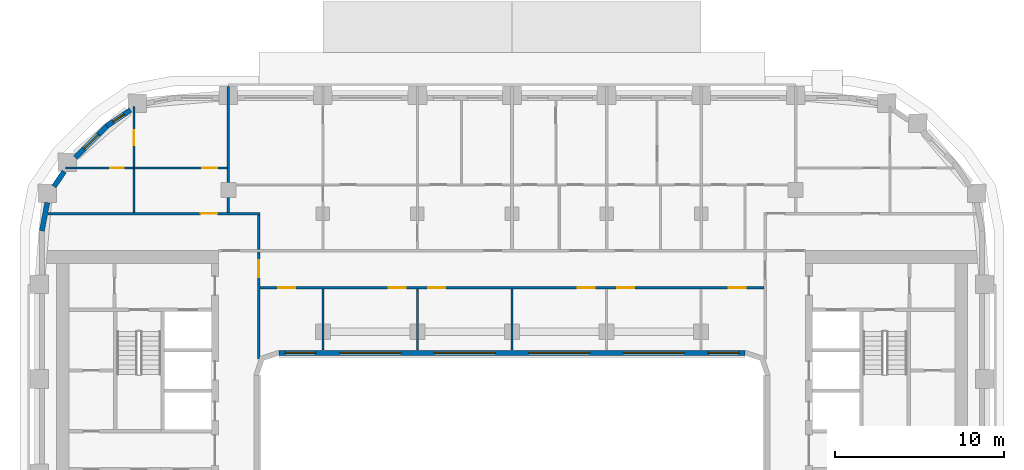
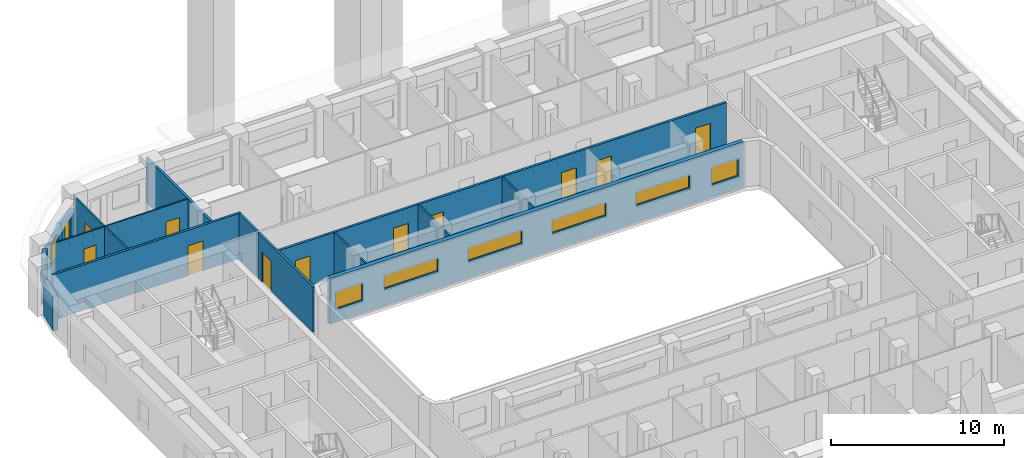
# One storey, part 7 of 18: 16 walls, 11 doors, 8 windows, 19 openings.
"""IFC4 building model written with IfcOpenShell, lengths in metres."""

from ifc_helpers import new_model, si_unit, direction, frame, frame_2d, origin, place, context, subcontext, project, spatial, rectangle, extrude, material, layer, layer_set, type_object, element, fill, save


model = new_model("IFC4")

# Units and contexts
model_context = context("Model", 3, precision=1e-05, world=origin(), true_north=direction((0.0, 1.0)))
body_context = subcontext(model_context, "Body", "Model", "MODEL_VIEW")
ifc_project = project(units=[si_unit("LENGTHUNIT", "METRE"), si_unit("AREAUNIT", "SQUARE_METRE"), si_unit("VOLUMEUNIT", "CUBIC_METRE"), si_unit("PLANEANGLEUNIT", "RADIAN"), si_unit("MASSUNIT", "GRAM", prefix="KILO")], contexts=[model_context])

# Site, building, storey
site_placement = place(None, origin())
site = spatial("IfcSite", under=ifc_project, at=site_placement, CompositionType="ELEMENT")
building_placement = place(site_placement, origin())
building = spatial("IfcBuilding", under=site, at=building_placement, Name="Kiln Ring Residences", CompositionType="ELEMENT")
storey_placement = place(building_placement, frame((0.0, 0.0, 157.10009765625)))
storey = spatial("IfcBuildingStorey", under=building, at=storey_placement, Name="L40", CompositionType="ELEMENT", Elevation=157.10009765625)

# Wall, opening, window
ifc_material_1 = material(Name="Brick masonry, dark clay brick", Category="masonry")
ifc_layer_1 = layer(ifc_material_1, 0.300048828125)
ifc_layer_set_1 = layer_set([ifc_layer_1], Name="EW-300 BRICK WALL")
wall_type_1 = type_object("IfcWallType", Name="EW-300 BRICK WALL", PredefinedType="SOLIDWALL", material=ifc_layer_set_1)
wall_1_placement = place(storey_placement, frame((-22.601806640625, 21.537841796875, 0.0), z_axis=(0.0, 0.0, 1.0), x_axis=(-0.827040942766, -0.562141689424, 0.0)))
wall_1 = element("IfcWall", 1, at=wall_1_placement, inside=storey, type_object=wall_type_1, Name="Facade wall L40 37", PredefinedType="SOLIDWALL", context=body_context, shape_type="SweptSolid", body=[
    extrude(rectangle(XDim=1.7060546875, YDim=0.300048828125, at=frame_2d((0.85302734375, 0.0))), origin(), (0.0, 0.0, 1.0), 2.449951171875),
])
opening_1_placement = place(wall_1_placement, frame((0.453125, 0.0, 0.60009765625)))
opening_1 = element("IfcOpeningElement", 2, at=opening_1_placement, cuts=wall_1, Name="Opening W5", PredefinedType="OPENING", context=body_context, shape_type="SweptSolid", body=[
    extrude(rectangle(XDim=0.800048828125, YDim=1.550048828125, at=frame_2d((0.39990234375, 0.77490234375))), frame((0.0, 0.159912109375, 0.0), z_axis=(0.0, -1.0, 0.0), x_axis=(1.0, 0.0, 0.0)), (0.0, 0.0, 1.0), 0.320068359375),
])
ifc_material_2 = material(Name="Aluminium frame with double glazing", Category="aluminium")
window_type_1 = type_object("IfcWindowType", Name="WINDOW 800 x 1550", PartitioningType="SINGLE_PANEL", PredefinedType="WINDOW", material=ifc_material_2)
window_1_placement = place(opening_1_placement, origin())
window_1 = element("IfcWindow", 3, at=window_1_placement, inside=storey, type_object=window_type_1, Name="Window L40 30", OverallHeight=1.550048828125, OverallWidth=0.800048828125, PartitioningType="SINGLE_PANEL", PredefinedType="WINDOW", context=body_context, shape_type="SweptSolid", body=[
    extrude(rectangle(XDim=0.800048828125, YDim=1.550048828125, at=frame_2d((0.39990234375, 0.77490234375))), frame((0.0, 0.030029296875, 0.0), z_axis=(0.0, -1.0, 0.0), x_axis=(1.0, 0.0, 0.0)), (0.0, 0.0, 1.0), 0.06005859375),
])
fill(opening_1, window_1)

wall_2_placement = place(storey_placement, frame((-23.990966796875, 20.596923828125, 0.0), z_axis=(0.0, 0.0, 1.0), x_axis=(-0.707106781187, -0.707106781187, 0.0)))
wall_2 = element("IfcWall", 4, at=wall_2_placement, inside=storey, type_object=wall_type_1, Name="Facade wall L40 38", PredefinedType="SOLIDWALL", context=body_context, shape_type="SweptSolid", body=[
    extrude(rectangle(XDim=2.64990234375, YDim=0.300048828125, at=frame_2d((1.324951171875, 0.0))), origin(), (0.0, 0.0, 1.0), 2.449951171875),
])
opening_2_placement = place(wall_2_placement, frame((0.72509765625, 0.0, 0.60009765625)))
opening_2 = element("IfcOpeningElement", 5, at=opening_2_placement, cuts=wall_2, Name="Opening W1", PredefinedType="OPENING", context=body_context, shape_type="SweptSolid", body=[
    extrude(rectangle(XDim=1.199951171875, YDim=1.550048828125, at=frame_2d((0.60009765625, 0.77490234375))), frame((0.0, 0.159912109375, 0.0), z_axis=(0.0, -1.0, 0.0), x_axis=(1.0, 0.0, 0.0)), (0.0, 0.0, 1.0), 0.320068359375),
])
ifc_material_3 = material(Name="Aluminium frame with double glazing", Category="aluminium")
window_type_2 = type_object("IfcWindowType", Name="WINDOW 1200 x 1550", PartitioningType="SINGLE_PANEL", PredefinedType="WINDOW", material=ifc_material_3)
window_2_placement = place(opening_2_placement, origin())
window_2 = element("IfcWindow", 6, at=window_2_placement, inside=storey, type_object=window_type_2, Name="Window L40 31", OverallHeight=1.550048828125, OverallWidth=1.199951171875, PartitioningType="SINGLE_PANEL", PredefinedType="WINDOW", context=body_context, shape_type="SweptSolid", body=[
    extrude(rectangle(XDim=1.199951171875, YDim=1.550048828125, at=frame_2d((0.60009765625, 0.77490234375))), frame((0.0, 0.030029296875, 0.0), z_axis=(0.0, -1.0, 0.0), x_axis=(1.0, 0.0, 0.0)), (0.0, 0.0, 1.0), 0.06005859375),
])
fill(opening_2, window_2)

# Walls
wall_3_placement = place(storey_placement, frame((-26.532470703125, 17.892578125, 0.0), z_axis=(0.0, 0.0, 1.0), x_axis=(-0.562105419172, -0.82706559458, 0.0)))
element("IfcWall", 7, at=wall_3_placement, inside=storey, type_object=wall_type_1, Name="Facade wall L40 39", PredefinedType="SOLIDWALL", context=body_context, shape_type="SweptSolid", body=[
    extrude(rectangle(XDim=1.0771484375, YDim=0.300048828125, at=frame_2d((0.53857421875, 0.0))), origin(), (0.0, 0.0, 1.0), 3.199951171875),
])
wall_4_placement = place(storey_placement, frame((-27.532958984375, 16.0478515625, 0.0), z_axis=(0.0, 0.0, 1.0), x_axis=(-0.187302784601, -0.982302227871, 0.0)))
element("IfcWall", 8, at=wall_4_placement, inside=storey, type_object=wall_type_1, Name="Facade wall L40 40", PredefinedType="SOLIDWALL", context=body_context, shape_type="SweptSolid", body=[
    extrude(rectangle(XDim=1.706298828125, YDim=0.300048828125, at=frame_2d((0.85302734375, 0.0))), origin(), (0.0, 0.0, 1.0), 2.449951171875),
])

# Wall, openings, windows
wall_5_placement = place(storey_placement, frame((-13.800048828125, 7.14990234375, 0.0), z_axis=(0.0, 0.0, 1.0), x_axis=(1.0, 0.0, 0.0)))
wall_5 = element("IfcWall", 9, at=wall_5_placement, inside=storey, type_object=wall_type_1, Name="Facade wall L40 50", PredefinedType="SOLIDWALL", context=body_context, shape_type="SweptSolid", body=[
    extrude(rectangle(XDim=27.60009765625, YDim=0.300048828125, at=frame_2d((13.800048828125, 0.0))), origin(), (0.0, 0.0, 1.0), 3.199951171875),
])
opening_3_placement = place(wall_5_placement, frame((0.362548828125, 0.0, 0.89990234375)))
opening_3 = element("IfcOpeningElement", 10, at=opening_3_placement, cuts=wall_5, Name="Opening W2", PredefinedType="OPENING", context=body_context, shape_type="SweptSolid", body=[
    extrude(rectangle(XDim=1.800048828125, YDim=1.25, at=frame_2d((0.89990234375, 0.625))), frame((0.0, 0.159912109375, 0.0), z_axis=(0.0, -1.0, 0.0), x_axis=(1.0, 0.0, 0.0)), (0.0, 0.0, 1.0), 0.320068359375),
])
opening_4_placement = place(wall_5_placement, frame((3.60009765625, 0.0, 1.199951171875)))
opening_4 = element("IfcOpeningElement", 11, at=opening_4_placement, cuts=wall_5, Name="Opening W4", PredefinedType="OPENING", context=body_context, shape_type="SweptSolid", body=[
    extrude(rectangle(XDim=3.60009765625, YDim=0.949951171875, at=frame_2d((1.800048828125, 0.47509765625))), frame((0.0, 0.159912109375, 0.0), z_axis=(0.0, -1.0, 0.0), x_axis=(1.0, 0.0, 0.0)), (0.0, 0.0, 1.0), 0.320068359375),
])
opening_5_placement = place(wall_5_placement, frame((9.199951171875, 0.0, 1.199951171875)))
opening_5 = element("IfcOpeningElement", 12, at=opening_5_placement, cuts=wall_5, Name="Opening W4", PredefinedType="OPENING", context=body_context, shape_type="SweptSolid", body=[
    extrude(rectangle(XDim=3.60009765625, YDim=0.949951171875, at=frame_2d((1.800048828125, 0.47509765625))), frame((0.0, 0.159912109375, 0.0), z_axis=(0.0, -1.0, 0.0), x_axis=(1.0, 0.0, 0.0)), (0.0, 0.0, 1.0), 0.320068359375),
])
opening_6_placement = place(wall_5_placement, frame((14.800048828125, 0.0, 1.199951171875)))
opening_6 = element("IfcOpeningElement", 13, at=opening_6_placement, cuts=wall_5, Name="Opening W4", PredefinedType="OPENING", context=body_context, shape_type="SweptSolid", body=[
    extrude(rectangle(XDim=3.60009765625, YDim=0.949951171875, at=frame_2d((1.800048828125, 0.47509765625))), frame((0.0, 0.159912109375, 0.0), z_axis=(0.0, -1.0, 0.0), x_axis=(1.0, 0.0, 0.0)), (0.0, 0.0, 1.0), 0.320068359375),
])
opening_7_placement = place(wall_5_placement, frame((20.39990234375, 0.0, 1.199951171875)))
opening_7 = element("IfcOpeningElement", 14, at=opening_7_placement, cuts=wall_5, Name="Opening W4", PredefinedType="OPENING", context=body_context, shape_type="SweptSolid", body=[
    extrude(rectangle(XDim=3.60009765625, YDim=0.949951171875, at=frame_2d((1.800048828125, 0.47509765625))), frame((0.0, 0.159912109375, 0.0), z_axis=(0.0, -1.0, 0.0), x_axis=(1.0, 0.0, 0.0)), (0.0, 0.0, 1.0), 0.320068359375),
])
opening_8_placement = place(wall_5_placement, frame((25.4375, 0.0, 0.89990234375)))
opening_8 = element("IfcOpeningElement", 15, at=opening_8_placement, cuts=wall_5, Name="Opening W2", PredefinedType="OPENING", context=body_context, shape_type="SweptSolid", body=[
    extrude(rectangle(XDim=1.800048828125, YDim=1.25, at=frame_2d((0.89990234375, 0.625))), frame((0.0, 0.159912109375, 0.0), z_axis=(0.0, -1.0, 0.0), x_axis=(1.0, 0.0, 0.0)), (0.0, 0.0, 1.0), 0.320068359375),
])
ifc_material_4 = material(Name="Aluminium frame with double glazing", Category="aluminium")
window_type_3 = type_object("IfcWindowType", Name="WINDOW 1800 x 1250", PartitioningType="SINGLE_PANEL", PredefinedType="WINDOW", material=ifc_material_4)
window_3_placement = place(opening_3_placement, origin())
window_3 = element("IfcWindow", 16, at=window_3_placement, inside=storey, type_object=window_type_3, Name="Window L40 32", OverallHeight=1.25, OverallWidth=1.800048828125, PartitioningType="SINGLE_PANEL", PredefinedType="WINDOW", context=body_context, shape_type="SweptSolid", body=[
    extrude(rectangle(XDim=1.800048828125, YDim=1.25, at=frame_2d((0.89990234375, 0.625))), frame((0.0, 0.030029296875, 0.0), z_axis=(0.0, -1.0, 0.0), x_axis=(1.0, 0.0, 0.0)), (0.0, 0.0, 1.0), 0.06005859375),
])
fill(opening_3, window_3)
window_4_placement = place(opening_8_placement, origin())
window_4 = element("IfcWindow", 17, at=window_4_placement, inside=storey, type_object=window_type_3, Name="Window L40 37", OverallHeight=1.25, OverallWidth=1.800048828125, PartitioningType="SINGLE_PANEL", PredefinedType="WINDOW", context=body_context, shape_type="SweptSolid", body=[
    extrude(rectangle(XDim=1.800048828125, YDim=1.25, at=frame_2d((0.89990234375, 0.625))), frame((0.0, 0.030029296875, 0.0), z_axis=(0.0, -1.0, 0.0), x_axis=(1.0, 0.0, 0.0)), (0.0, 0.0, 1.0), 0.06005859375),
])
fill(opening_8, window_4)
ifc_material_5 = material(Name="Aluminium frame with double glazing", Category="aluminium")
window_type_4 = type_object("IfcWindowType", Name="WINDOW 3600 x 950", PartitioningType="SINGLE_PANEL", PredefinedType="WINDOW", material=ifc_material_5)
window_5_placement = place(opening_4_placement, origin())
window_5 = element("IfcWindow", 18, at=window_5_placement, inside=storey, type_object=window_type_4, Name="Window L40 33", OverallHeight=0.949951171875, OverallWidth=3.60009765625, PartitioningType="SINGLE_PANEL", PredefinedType="WINDOW", context=body_context, shape_type="SweptSolid", body=[
    extrude(rectangle(XDim=3.60009765625, YDim=0.949951171875, at=frame_2d((1.800048828125, 0.47509765625))), frame((0.0, 0.030029296875, 0.0), z_axis=(0.0, -1.0, 0.0), x_axis=(1.0, 0.0, 0.0)), (0.0, 0.0, 1.0), 0.06005859375),
])
fill(opening_4, window_5)
window_6_placement = place(opening_5_placement, origin())
window_6 = element("IfcWindow", 19, at=window_6_placement, inside=storey, type_object=window_type_4, Name="Window L40 34", OverallHeight=0.949951171875, OverallWidth=3.60009765625, PartitioningType="SINGLE_PANEL", PredefinedType="WINDOW", context=body_context, shape_type="SweptSolid", body=[
    extrude(rectangle(XDim=3.60009765625, YDim=0.949951171875, at=frame_2d((1.800048828125, 0.47509765625))), frame((0.0, 0.030029296875, 0.0), z_axis=(0.0, -1.0, 0.0), x_axis=(1.0, 0.0, 0.0)), (0.0, 0.0, 1.0), 0.06005859375),
])
fill(opening_5, window_6)
window_7_placement = place(opening_6_placement, origin())
window_7 = element("IfcWindow", 20, at=window_7_placement, inside=storey, type_object=window_type_4, Name="Window L40 35", OverallHeight=0.949951171875, OverallWidth=3.60009765625, PartitioningType="SINGLE_PANEL", PredefinedType="WINDOW", context=body_context, shape_type="SweptSolid", body=[
    extrude(rectangle(XDim=3.60009765625, YDim=0.949951171875, at=frame_2d((1.800048828125, 0.47509765625))), frame((0.0, 0.030029296875, 0.0), z_axis=(0.0, -1.0, 0.0), x_axis=(1.0, 0.0, 0.0)), (0.0, 0.0, 1.0), 0.06005859375),
])
fill(opening_6, window_7)
window_8_placement = place(opening_7_placement, origin())
window_8 = element("IfcWindow", 21, at=window_8_placement, inside=storey, type_object=window_type_4, Name="Window L40 36", OverallHeight=0.949951171875, OverallWidth=3.60009765625, PartitioningType="SINGLE_PANEL", PredefinedType="WINDOW", context=body_context, shape_type="SweptSolid", body=[
    extrude(rectangle(XDim=3.60009765625, YDim=0.949951171875, at=frame_2d((1.800048828125, 0.47509765625))), frame((0.0, 0.030029296875, 0.0), z_axis=(0.0, -1.0, 0.0), x_axis=(1.0, 0.0, 0.0)), (0.0, 0.0, 1.0), 0.06005859375),
])
fill(opening_7, window_8)

# Wall, openings, doors
ifc_material_6 = material(Name="Gypsum board on steel studs", Category="steel")
ifc_layer_2 = layer(ifc_material_6, 0.10009765625)
ifc_layer_set_2 = layer_set([ifc_layer_2], Name="PARTITION-100")
wall_type_2 = type_object("IfcWallType", Name="PARTITION-100", PredefinedType="PARTITIONING", material=ifc_layer_set_2)
wall_6_placement = place(storey_placement, frame((-26.43994140625, 18.10009765625, 0.0), z_axis=(0.0, 0.0, 1.0), x_axis=(1.0, 0.0, 0.0)))
wall_6 = element("IfcWall", 22, at=wall_6_placement, inside=storey, type_object=wall_type_2, Name="Partition 012", PredefinedType="PARTITIONING", context=body_context, shape_type="SweptSolid", body=[
    extrude(rectangle(XDim=9.56494140625, YDim=0.10009765625, at=frame_2d((4.782470703125, 0.0))), origin(), (0.0, 0.0, 1.0), 3.199951171875),
])
opening_9_placement = place(wall_6_placement, frame((2.6259765625, 0.0, 0.0)))
opening_9 = element("IfcOpeningElement", 23, at=opening_9_placement, cuts=wall_6, Name="Opening L40-D038", PredefinedType="OPENING", context=body_context, shape_type="SweptSolid", body=[
    extrude(rectangle(XDim=0.800048828125, YDim=2.10009765625, at=frame_2d((0.39990234375, 1.050048828125))), frame((0.0, 0.06005859375, 0.0), z_axis=(0.0, -1.0, 0.0), x_axis=(1.0, 0.0, 0.0)), (0.0, 0.0, 1.0), 0.1201171875),
])
opening_10_placement = place(wall_6_placement, frame((8.090087890625, 0.0, 0.0)))
opening_10 = element("IfcOpeningElement", 24, at=opening_10_placement, cuts=wall_6, Name="Opening L40-D039", PredefinedType="OPENING", context=body_context, shape_type="SweptSolid", body=[
    extrude(rectangle(XDim=0.89990234375, YDim=2.10009765625, at=frame_2d((0.449951171875, 1.050048828125))), frame((0.0, 0.06005859375, 0.0), z_axis=(0.0, -1.0, 0.0), x_axis=(1.0, 0.0, 0.0)), (0.0, 0.0, 1.0), 0.1201171875),
])
ifc_material_7 = material(Name="Timber door leaf", Category="wood")
door_type_1 = type_object("IfcDoorType", Name="FLAT-DOOR-800-PL", OperationType="SINGLE_SWING_LEFT", PredefinedType="DOOR", material=ifc_material_7)
door_1_placement = place(opening_9_placement, origin())
door_1 = element("IfcDoor", 25, at=door_1_placement, inside=storey, type_object=door_type_1, Name="Door L40-D038", OperationType="SINGLE_SWING_RIGHT", OverallHeight=2.10009765625, OverallWidth=0.800048828125, PredefinedType="DOOR", context=body_context, shape_type="SweptSolid", body=[
    extrude(rectangle(XDim=0.800048828125, YDim=2.10009765625, at=frame_2d((0.39990234375, 1.050048828125))), frame((0.0, 0.02490234375, 0.0), z_axis=(0.0, -1.0, 0.0), x_axis=(1.0, 0.0, 0.0)), (0.0, 0.0, 1.0), 0.050048828125),
])
fill(opening_9, door_1)
ifc_material_8 = material(Name="Timber door leaf", Category="wood")
door_type_2 = type_object("IfcDoorType", Name="FLAT-DOOR-900-PL", OperationType="SINGLE_SWING_LEFT", PredefinedType="DOOR", material=ifc_material_8)
door_2_placement = place(opening_10_placement, origin())
door_2 = element("IfcDoor", 26, at=door_2_placement, inside=storey, type_object=door_type_2, Name="Door L40-D039", OperationType="SINGLE_SWING_LEFT", OverallHeight=2.10009765625, OverallWidth=0.89990234375, PredefinedType="DOOR", context=body_context, shape_type="SweptSolid", body=[
    extrude(rectangle(XDim=0.89990234375, YDim=2.10009765625, at=frame_2d((0.449951171875, 1.050048828125))), frame((0.0, 0.02490234375, 0.0), z_axis=(0.0, -1.0, 0.0), x_axis=(1.0, 0.0, 0.0)), (0.0, 0.0, 1.0), 0.050048828125),
])
fill(opening_10, door_2)

# Wall
wall_7_placement = place(storey_placement, frame((-22.39990234375, 15.47509765625, 0.0), z_axis=(0.0, 0.0, 1.0), x_axis=(0.0, 1.0, 0.0)))
element("IfcWall", 27, at=wall_7_placement, inside=storey, type_object=wall_type_2, Name="Partition 016", PredefinedType="PARTITIONING", context=body_context, shape_type="SweptSolid", body=[
    extrude(rectangle(XDim=2.574951171875, YDim=0.10009765625, at=frame_2d((1.28759765625, 0.0))), origin(), (0.0, 0.0, 1.0), 3.199951171875),
])

# Wall, opening, door
wall_8_placement = place(storey_placement, frame((-22.39990234375, 18.14990234375, 0.0), z_axis=(0.0, 0.0, 1.0), x_axis=(0.0, 1.0, 0.0)))
wall_8 = element("IfcWall", 28, at=wall_8_placement, inside=storey, type_object=wall_type_2, Name="Partition 017", PredefinedType="PARTITIONING", context=body_context, shape_type="SweptSolid", body=[
    extrude(rectangle(XDim=3.570068359375, YDim=0.10009765625, at=frame_2d((1.78515625, 0.0))), origin(), (0.0, 0.0, 1.0), 3.199951171875),
])
opening_11_placement = place(wall_8_placement, frame((1.298095703125, 0.0, 0.0)))
opening_11 = element("IfcOpeningElement", 29, at=opening_11_placement, cuts=wall_8, Name="Opening L40-D040", PredefinedType="OPENING", context=body_context, shape_type="SweptSolid", body=[
    extrude(rectangle(XDim=0.89990234375, YDim=2.10009765625, at=frame_2d((0.449951171875, 1.050048828125))), frame((0.0, 0.06005859375, 0.0), z_axis=(0.0, -1.0, 0.0), x_axis=(1.0, 0.0, 0.0)), (0.0, 0.0, 1.0), 0.1201171875),
])
door_3_placement = place(opening_11_placement, origin())
door_3 = element("IfcDoor", 30, at=door_3_placement, inside=storey, type_object=door_type_2, Name="Door L40-D040", OperationType="SINGLE_SWING_RIGHT", OverallHeight=2.10009765625, OverallWidth=0.89990234375, PredefinedType="DOOR", context=body_context, shape_type="SweptSolid", body=[
    extrude(rectangle(XDim=0.89990234375, YDim=2.10009765625, at=frame_2d((0.449951171875, 1.050048828125))), frame((0.0, 0.02490234375, 0.0), z_axis=(0.0, -1.0, 0.0), x_axis=(1.0, 0.0, 0.0)), (0.0, 0.0, 1.0), 0.050048828125),
])
fill(opening_11, door_3)

# Walls
for number, where, z_axis, x_axis, name in (
    (31, (-11.199951171875, 7.320068359375, 0.0), (0.0, 0.0, 1.0), (0.0, 1.0, 0.0), "Partition 027"),
    (32, (-5.60009765625, 7.320068359375, 0.0), (0.0, 0.0, 1.0), (0.0, 1.0, 0.0), "Partition 034"),
    (33, (0.0, 7.320068359375, 0.0), (0.0, 0.0, 1.0), (0.0, 1.0, 0.0), "Partition 042"),
):
    element("IfcWall", number, at=place(storey_placement, frame(where, z_axis=z_axis, x_axis=x_axis)), inside=storey, type_object=wall_type_2, Name=name, PredefinedType="PARTITIONING", context=body_context, shape_type="SweptSolid", body=[
        extrude(rectangle(XDim=3.60498046875, YDim=0.10009765625, at=frame_2d((1.802490234375, 0.0))), origin(), (0.0, 0.0, 1.0), 3.199951171875),
    ])

# Wall, openings, doors
ifc_material_9 = material(Name="Brick masonry partition", Category="masonry")
ifc_layer_3 = layer(ifc_material_9, 0.14990234375)
ifc_layer_set_3 = layer_set([ifc_layer_3], Name="PARTITION-150-ei60")
wall_type_3 = type_object("IfcWallType", Name="PARTITION-150-ei60", PredefinedType="PARTITIONING", material=ifc_layer_set_3)
wall_9_placement = place(storey_placement, frame((-14.925048828125, 11.0, 0.0), z_axis=(0.0, 0.0, 1.0), x_axis=(1.0, 0.0, 0.0)))
wall_9 = element("IfcWall", 34, at=wall_9_placement, inside=storey, type_object=wall_type_3, Name="Partition 007", PredefinedType="PARTITIONING", context=body_context, shape_type="SweptSolid", body=[
    extrude(rectangle(XDim=29.85009765625, YDim=0.14990234375, at=frame_2d((14.925048828125, 0.0))), origin(), (0.0, 0.0, 1.0), 3.199951171875),
])
opening_12_placement = place(wall_9_placement, frame((1.075927734375, 0.0, 0.0)))
opening_12 = element("IfcOpeningElement", 35, at=opening_12_placement, cuts=wall_9, Name="Opening L40-D009", PredefinedType="OPENING", context=body_context, shape_type="SweptSolid", body=[
    extrude(rectangle(XDim=1.0, YDim=2.10009765625, at=frame_2d((0.5, 1.050048828125))), frame((0.0, 0.0849609375, 0.0), z_axis=(0.0, -1.0, 0.0), x_axis=(1.0, 0.0, 0.0)), (0.0, 0.0, 1.0), 0.169921875),
])
opening_13_placement = place(wall_9_placement, frame((7.625, 0.0, 0.0)))
opening_13 = element("IfcOpeningElement", 36, at=opening_13_placement, cuts=wall_9, Name="Opening L40-D010", PredefinedType="OPENING", context=body_context, shape_type="SweptSolid", body=[
    extrude(rectangle(XDim=1.0, YDim=2.10009765625, at=frame_2d((0.5, 1.050048828125))), frame((0.0, 0.0849609375, 0.0), z_axis=(0.0, -1.0, 0.0), x_axis=(1.0, 0.0, 0.0)), (0.0, 0.0, 1.0), 0.169921875),
])
opening_14_placement = place(wall_9_placement, frame((9.97509765625, 0.0, 0.0)))
opening_14 = element("IfcOpeningElement", 37, at=opening_14_placement, cuts=wall_9, Name="Opening L40-D011", PredefinedType="OPENING", context=body_context, shape_type="SweptSolid", body=[
    extrude(rectangle(XDim=1.0, YDim=2.10009765625, at=frame_2d((0.5, 1.050048828125))), frame((0.0, 0.0849609375, 0.0), z_axis=(0.0, -1.0, 0.0), x_axis=(1.0, 0.0, 0.0)), (0.0, 0.0, 1.0), 0.169921875),
])
opening_15_placement = place(wall_9_placement, frame((18.824951171875, 0.0, 0.0)))
opening_15 = element("IfcOpeningElement", 38, at=opening_15_placement, cuts=wall_9, Name="Opening L40-D012", PredefinedType="OPENING", context=body_context, shape_type="SweptSolid", body=[
    extrude(rectangle(XDim=1.0, YDim=2.10009765625, at=frame_2d((0.5, 1.050048828125))), frame((0.0, 0.0849609375, 0.0), z_axis=(0.0, -1.0, 0.0), x_axis=(1.0, 0.0, 0.0)), (0.0, 0.0, 1.0), 0.169921875),
])
opening_16_placement = place(wall_9_placement, frame((21.175048828125, 0.0, 0.0)))
opening_16 = element("IfcOpeningElement", 39, at=opening_16_placement, cuts=wall_9, Name="Opening L40-D013", PredefinedType="OPENING", context=body_context, shape_type="SweptSolid", body=[
    extrude(rectangle(XDim=1.0, YDim=2.10009765625, at=frame_2d((0.5, 1.050048828125))), frame((0.0, 0.0849609375, 0.0), z_axis=(0.0, -1.0, 0.0), x_axis=(1.0, 0.0, 0.0)), (0.0, 0.0, 1.0), 0.169921875),
])
opening_17_placement = place(wall_9_placement, frame((27.77490234375, 0.0, 0.0)))
opening_17 = element("IfcOpeningElement", 40, at=opening_17_placement, cuts=wall_9, Name="Opening L40-D014", PredefinedType="OPENING", context=body_context, shape_type="SweptSolid", body=[
    extrude(rectangle(XDim=1.0, YDim=2.10009765625, at=frame_2d((0.5, 1.050048828125))), frame((0.0, 0.0849609375, 0.0), z_axis=(0.0, -1.0, 0.0), x_axis=(1.0, 0.0, 0.0)), (0.0, 0.0, 1.0), 0.169921875),
])
ifc_material_10 = material(Name="Steel faced fire door leaf", Category="steel")
door_type_3 = type_object("IfcDoorType", Name="FLAT-DOOR-1000-FR", OperationType="SINGLE_SWING_LEFT", PredefinedType="DOOR", material=ifc_material_10)
door_4_placement = place(opening_12_placement, origin())
door_4 = element("IfcDoor", 41, at=door_4_placement, inside=storey, type_object=door_type_3, Name="Door L40-D009", OperationType="SINGLE_SWING_LEFT", OverallHeight=2.10009765625, OverallWidth=1.0, PredefinedType="DOOR", context=body_context, shape_type="SweptSolid", body=[
    extrude(rectangle(XDim=1.0, YDim=2.10009765625, at=frame_2d((0.5, 1.050048828125))), frame((0.0, 0.02490234375, 0.0), z_axis=(0.0, -1.0, 0.0), x_axis=(1.0, 0.0, 0.0)), (0.0, 0.0, 1.0), 0.050048828125),
])
fill(opening_12, door_4)
door_5_placement = place(opening_13_placement, origin())
door_5 = element("IfcDoor", 42, at=door_5_placement, inside=storey, type_object=door_type_3, Name="Door L40-D010", OperationType="SINGLE_SWING_RIGHT", OverallHeight=2.10009765625, OverallWidth=1.0, PredefinedType="DOOR", context=body_context, shape_type="SweptSolid", body=[
    extrude(rectangle(XDim=1.0, YDim=2.10009765625, at=frame_2d((0.5, 1.050048828125))), frame((0.0, 0.02490234375, 0.0), z_axis=(0.0, -1.0, 0.0), x_axis=(1.0, 0.0, 0.0)), (0.0, 0.0, 1.0), 0.050048828125),
])
fill(opening_13, door_5)
door_6_placement = place(opening_14_placement, origin())
door_6 = element("IfcDoor", 43, at=door_6_placement, inside=storey, type_object=door_type_3, Name="Door L40-D011", OperationType="SINGLE_SWING_LEFT", OverallHeight=2.10009765625, OverallWidth=1.0, PredefinedType="DOOR", context=body_context, shape_type="SweptSolid", body=[
    extrude(rectangle(XDim=1.0, YDim=2.10009765625, at=frame_2d((0.5, 1.050048828125))), frame((0.0, 0.02490234375, 0.0), z_axis=(0.0, -1.0, 0.0), x_axis=(1.0, 0.0, 0.0)), (0.0, 0.0, 1.0), 0.050048828125),
])
fill(opening_14, door_6)
door_7_placement = place(opening_15_placement, origin())
door_7 = element("IfcDoor", 44, at=door_7_placement, inside=storey, type_object=door_type_3, Name="Door L40-D012", OperationType="SINGLE_SWING_RIGHT", OverallHeight=2.10009765625, OverallWidth=1.0, PredefinedType="DOOR", context=body_context, shape_type="SweptSolid", body=[
    extrude(rectangle(XDim=1.0, YDim=2.10009765625, at=frame_2d((0.5, 1.050048828125))), frame((0.0, 0.02490234375, 0.0), z_axis=(0.0, -1.0, 0.0), x_axis=(1.0, 0.0, 0.0)), (0.0, 0.0, 1.0), 0.050048828125),
])
fill(opening_15, door_7)
door_8_placement = place(opening_16_placement, origin())
door_8 = element("IfcDoor", 45, at=door_8_placement, inside=storey, type_object=door_type_3, Name="Door L40-D013", OperationType="SINGLE_SWING_LEFT", OverallHeight=2.10009765625, OverallWidth=1.0, PredefinedType="DOOR", context=body_context, shape_type="SweptSolid", body=[
    extrude(rectangle(XDim=1.0, YDim=2.10009765625, at=frame_2d((0.5, 1.050048828125))), frame((0.0, 0.02490234375, 0.0), z_axis=(0.0, -1.0, 0.0), x_axis=(1.0, 0.0, 0.0)), (0.0, 0.0, 1.0), 0.050048828125),
])
fill(opening_16, door_8)
door_9_placement = place(opening_17_placement, origin())
door_9 = element("IfcDoor", 46, at=door_9_placement, inside=storey, type_object=door_type_3, Name="Door L40-D014", OperationType="SINGLE_SWING_RIGHT", OverallHeight=2.10009765625, OverallWidth=1.0, PredefinedType="DOOR", context=body_context, shape_type="SweptSolid", body=[
    extrude(rectangle(XDim=1.0, YDim=2.10009765625, at=frame_2d((0.5, 1.050048828125))), frame((0.0, 0.02490234375, 0.0), z_axis=(0.0, -1.0, 0.0), x_axis=(1.0, 0.0, 0.0)), (0.0, 0.0, 1.0), 0.050048828125),
])
fill(opening_17, door_9)

# Wall, opening, door
wall_10_placement = place(storey_placement, frame((-27.48388671875, 15.39990234375, 0.0), z_axis=(0.0, 0.0, 1.0), x_axis=(1.0, 0.0, 0.0)))
wall_10 = element("IfcWall", 47, at=wall_10_placement, inside=storey, type_object=wall_type_3, Name="Partition 009", PredefinedType="PARTITIONING", context=body_context, shape_type="SweptSolid", body=[
    extrude(rectangle(XDim=12.558837890625, YDim=0.14990234375, at=frame_2d((6.279296875, 0.0))), origin(), (0.0, 0.0, 1.0), 3.199951171875),
])
opening_18_placement = place(wall_10_placement, frame((9.03369140625, 0.0, 0.0)))
opening_18 = element("IfcOpeningElement", 48, at=opening_18_placement, cuts=wall_10, Name="Opening L40-D037", PredefinedType="OPENING", context=body_context, shape_type="SweptSolid", body=[
    extrude(rectangle(XDim=1.0, YDim=2.10009765625, at=frame_2d((0.5, 1.050048828125))), frame((0.0, 0.0849609375, 0.0), z_axis=(0.0, -1.0, 0.0), x_axis=(1.0, 0.0, 0.0)), (0.0, 0.0, 1.0), 0.169921875),
])
door_10_placement = place(opening_18_placement, origin())
door_10 = element("IfcDoor", 49, at=door_10_placement, inside=storey, type_object=door_type_3, Name="Door L40-D037", OperationType="SINGLE_SWING_LEFT", OverallHeight=2.10009765625, OverallWidth=1.0, PredefinedType="DOOR", context=body_context, shape_type="SweptSolid", body=[
    extrude(rectangle(XDim=1.0, YDim=2.10009765625, at=frame_2d((0.5, 1.050048828125))), frame((0.0, 0.02490234375, 0.0), z_axis=(0.0, -1.0, 0.0), x_axis=(1.0, 0.0, 0.0)), (0.0, 0.0, 1.0), 0.050048828125),
])
fill(opening_18, door_10)

# Wall
wall_11_placement = place(storey_placement, frame((-16.800048828125, 15.47509765625, 0.0), z_axis=(0.0, 0.0, 1.0), x_axis=(0.0, 1.0, 0.0)))
element("IfcWall", 50, at=wall_11_placement, inside=storey, type_object=wall_type_3, Name="Partition 019", PredefinedType="PARTITIONING", context=body_context, shape_type="SweptSolid", body=[
    extrude(rectangle(XDim=7.454833984375, YDim=0.14990234375, at=frame_2d((3.7275390625, 0.0))), origin(), (0.0, 0.0, 1.0), 3.199951171875),
])

# Wall, opening, door
wall_12_placement = place(storey_placement, frame((-15.0, 6.768798828125, 0.0), z_axis=(0.0, 0.0, 1.0), x_axis=(0.0, 1.0, 0.0)))
wall_12 = element("IfcWall", 51, at=wall_12_placement, inside=storey, type_object=wall_type_3, Name="Partition 022", PredefinedType="PARTITIONING", context=body_context, shape_type="SweptSolid", body=[
    extrude(rectangle(XDim=6.356201171875, YDim=0.14990234375, at=frame_2d((3.17822265625, 0.0))), origin(), (0.0, 0.0, 1.0), 3.199951171875),
])
opening_19_placement = place(wall_12_placement, frame((4.860107421875, 0.0, 0.0)))
opening_19 = element("IfcOpeningElement", 52, at=opening_19_placement, cuts=wall_12, Name="Opening L40-D001", PredefinedType="OPENING", context=body_context, shape_type="SweptSolid", body=[
    extrude(rectangle(XDim=1.0, YDim=2.10009765625, at=frame_2d((0.5, 1.050048828125))), frame((0.0, 0.0849609375, 0.0), z_axis=(0.0, -1.0, 0.0), x_axis=(1.0, 0.0, 0.0)), (0.0, 0.0, 1.0), 0.169921875),
])
door_11_placement = place(opening_19_placement, origin())
door_11 = element("IfcDoor", 53, at=door_11_placement, inside=storey, type_object=door_type_3, Name="Door L40-D001", OperationType="SINGLE_SWING_RIGHT", OverallHeight=2.10009765625, OverallWidth=1.0, PredefinedType="DOOR", context=body_context, shape_type="SweptSolid", body=[
    extrude(rectangle(XDim=1.0, YDim=2.10009765625, at=frame_2d((0.5, 1.050048828125))), frame((0.0, 0.02490234375, 0.0), z_axis=(0.0, -1.0, 0.0), x_axis=(1.0, 0.0, 0.0)), (0.0, 0.0, 1.0), 0.050048828125),
])
fill(opening_19, door_11)

# Wall
wall_13_placement = place(storey_placement, frame((-15.0, 13.27490234375, 0.0), z_axis=(0.0, 0.0, 1.0), x_axis=(0.0, 1.0, 0.0)))
element("IfcWall", 54, at=wall_13_placement, inside=storey, type_object=wall_type_3, Name="Partition 023", PredefinedType="PARTITIONING", context=body_context, shape_type="SweptSolid", body=[
    extrude(rectangle(XDim=2.050048828125, YDim=0.14990234375, at=frame_2d((1.02490234375, 0.0))), origin(), (0.0, 0.0, 1.0), 3.199951171875),
])

save(model, "model.ifc")
